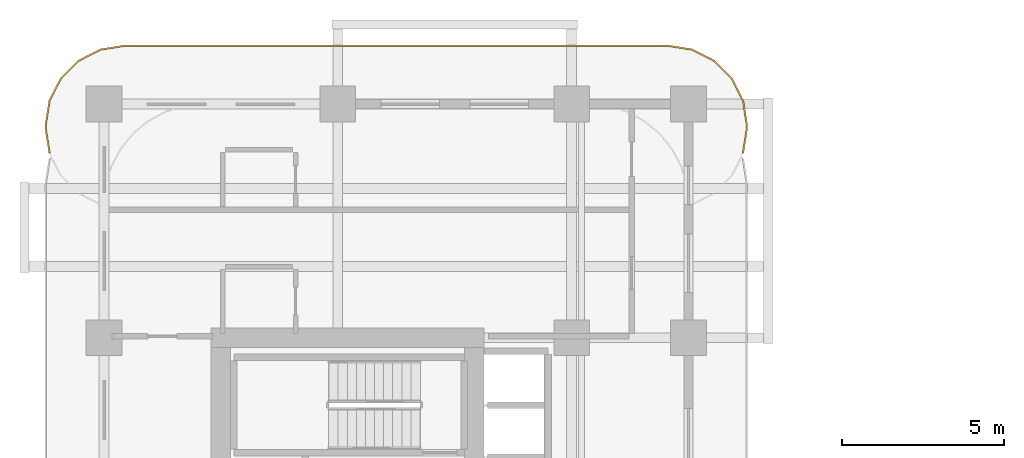
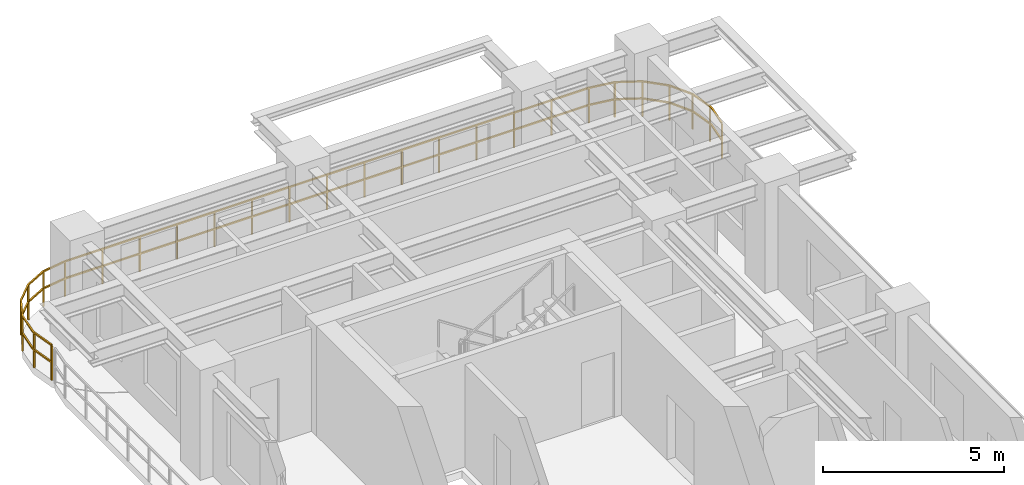
# One storey, part 18 of 18: 1 railing.
"""IFC4 building model written with IfcOpenShell, lengths in metres."""

from ifc_helpers import new_model, si_unit, derived_unit, direction, frame, origin, origin_2d, place, context, subcontext, project, spatial, rectangle, extrude, material, type_object, element, save


model = new_model("IFC4")

# Units and contexts
model_context = context("Model", 3, precision=1e-05, world=origin(), true_north=direction((0.0, 1.0)))
body_context = subcontext(model_context, "Body", "Model", "MODEL_VIEW")
ifc_project = project(units=[si_unit("LENGTHUNIT", "METRE"), si_unit("AREAUNIT", "SQUARE_METRE"), si_unit("VOLUMEUNIT", "CUBIC_METRE"), si_unit("PLANEANGLEUNIT", "RADIAN"), si_unit("MASSUNIT", "GRAM", prefix="KILO"), si_unit("THERMODYNAMICTEMPERATUREUNIT", "KELVIN"), si_unit("POWERUNIT", "WATT"), derived_unit("THERMALTRANSMITTANCEUNIT", [(si_unit("POWERUNIT", "WATT"), 1), (si_unit("AREAUNIT", "SQUARE_METRE"), -1), (si_unit("THERMODYNAMICTEMPERATUREUNIT", "KELVIN"), -1)])], contexts=[model_context])

# Site, building, storey
site_placement = place(None, origin())
site = spatial("IfcSite", under=ifc_project, at=site_placement, CompositionType="ELEMENT")
building_placement = place(site_placement, origin())
building = spatial("IfcBuilding", under=site, at=building_placement, Name="Zahravan Archway Hotel and Residences", CompositionType="ELEMENT")
storey_placement = place(building_placement, frame((0.0, 0.0, 50.89990234375)))
storey = spatial("IfcBuildingStorey", under=building, at=storey_placement, Name="L11", CompositionType="ELEMENT", Elevation=50.89990234375)

# Railing
ifc_material = material(Name="Bronze & Laminated Glass Balustrade", Category="glass")
railing_type = type_object("IfcRailingType", Name="RL-BAL-1200", PredefinedType="BALUSTRADE", material=ifc_material)
railing_placement = place(storey_placement, frame((-1.68017578125, 45.29296875, 0.0)))
element("IfcRailing", 1, at=railing_placement, inside=storey, type_object=railing_type, Name="L11 Balustrade RL-SLB-BAL-L11-NB-1", PredefinedType="BALUSTRADE", context=body_context, shape_type="SweptSolid", body=[
    extrude(rectangle(XDim=0.048095703125, YDim=0.048095703125, at=origin_2d()), frame((0.0, 0.0, 1.17578125), z_axis=(-0.156387811283, 0.987695728695, 0.0), x_axis=(-0.987695728695, -0.156387811283, 0.0)), (0.0, 0.0, 1.0), 0.7666015625),
    extrude(rectangle(XDim=0.048095703125, YDim=0.048095703125, at=origin_2d()), frame((0.0, 0.0, 0.60009765625), z_axis=(-0.156387811283, 0.987695728695, 0.0), x_axis=(-0.987695728695, -0.156387811283, 0.0)), (0.0, 0.0, 1.0), 0.7666015625),
    extrude(rectangle(XDim=0.048095703125, YDim=0.048095703125, at=origin_2d()), frame((-0.119873046875, 0.757080078125, 1.17578125), z_axis=(0.0, 1.0, 0.0), x_axis=(-1.0, 0.0, 0.0)), (0.0, 0.0, 1.0), 0.099853515625),
    extrude(rectangle(XDim=0.048095703125, YDim=0.048095703125, at=origin_2d()), frame((-0.119873046875, 0.757080078125, 0.60009765625), z_axis=(0.0, 1.0, 0.0), x_axis=(-1.0, 0.0, 0.0)), (0.0, 0.0, 1.0), 0.099853515625),
    extrude(rectangle(XDim=0.048095703125, YDim=0.048095703125, at=origin_2d()), frame((-0.119873046875, 0.85693359375, 1.17578125), z_axis=(0.156387811283, 0.987695728695, 0.0), x_axis=(-0.987695728695, 0.156387811283, 0.0)), (0.0, 0.0, 1.0), 0.7666015625),
    extrude(rectangle(XDim=0.048095703125, YDim=0.048095703125, at=origin_2d()), frame((-0.119873046875, 0.85693359375, 0.60009765625), z_axis=(0.156387811283, 0.987695728695, 0.0), x_axis=(-0.987695728695, 0.156387811283, 0.0)), (0.0, 0.0, 1.0), 0.7666015625),
    extrude(rectangle(XDim=0.048095703125, YDim=0.048095703125, at=origin_2d()), frame((0.0, 1.614013671875, 1.17578125), z_axis=(0.454078418624, 0.890961721815, 0.0), x_axis=(-0.890961721815, 0.454078418624, 0.0)), (0.0, 0.0, 1.0), 0.7666015625),
    extrude(rectangle(XDim=0.048095703125, YDim=0.048095703125, at=origin_2d()), frame((0.0, 1.614013671875, 0.60009765625), z_axis=(0.454078418624, 0.890961721815, 0.0), x_axis=(-0.890961721815, 0.454078418624, 0.0)), (0.0, 0.0, 1.0), 0.7666015625),
    extrude(rectangle(XDim=0.048095703125, YDim=0.048095703125, at=origin_2d()), frame((0.34814453125, 2.297119140625, 1.17578125), z_axis=(0.707106781187, 0.707106781187, 0.0), x_axis=(-0.707106781187, 0.707106781187, 0.0)), (0.0, 0.0, 1.0), 0.7666015625),
    extrude(rectangle(XDim=0.048095703125, YDim=0.048095703125, at=origin_2d()), frame((0.34814453125, 2.297119140625, 0.60009765625), z_axis=(0.707106781187, 0.707106781187, 0.0), x_axis=(-0.707106781187, 0.707106781187, 0.0)), (0.0, 0.0, 1.0), 0.7666015625),
    extrude(rectangle(XDim=0.048095703125, YDim=0.048095703125, at=origin_2d()), frame((0.89013671875, 2.839111328125, 1.17578125), z_axis=(0.891024909783, 0.453954414172, 0.0), x_axis=(-0.453954414172, 0.891024909783, 0.0)), (0.0, 0.0, 1.0), 0.766357421875),
    extrude(rectangle(XDim=0.048095703125, YDim=0.048095703125, at=origin_2d()), frame((0.89013671875, 2.839111328125, 0.60009765625), z_axis=(0.891024909783, 0.453954414172, 0.0), x_axis=(-0.453954414172, 0.891024909783, 0.0)), (0.0, 0.0, 1.0), 0.766357421875),
    extrude(rectangle(XDim=0.048095703125, YDim=0.048095703125, at=origin_2d()), frame((1.572998046875, 3.18701171875, 1.17578125), z_axis=(0.987646484274, 0.156698507018, 0.0), x_axis=(-0.156698507018, 0.987646484274, 0.0)), (0.0, 0.0, 1.0), 0.7666015625),
    extrude(rectangle(XDim=0.048095703125, YDim=0.048095703125, at=origin_2d()), frame((1.572998046875, 3.18701171875, 0.60009765625), z_axis=(0.987646484274, 0.156698507018, 0.0), x_axis=(-0.156698507018, 0.987646484274, 0.0)), (0.0, 0.0, 1.0), 0.7666015625),
    extrude(rectangle(XDim=0.048095703125, YDim=0.048095703125, at=origin_2d()), frame((2.330078125, 3.30712890625, 1.17578125), z_axis=(1.0, 0.0, 0.0), x_axis=(0.0, 1.0, 0.0)), (0.0, 0.0, 1.0), 16.7001953125),
    extrude(rectangle(XDim=0.048095703125, YDim=0.048095703125, at=origin_2d()), frame((2.330078125, 3.30712890625, 0.60009765625), z_axis=(1.0, 0.0, 0.0), x_axis=(0.0, 1.0, 0.0)), (0.0, 0.0, 1.0), 16.7001953125),
    extrude(rectangle(XDim=0.048095703125, YDim=0.048095703125, at=origin_2d()), frame((19.0302734375, 3.30712890625, 1.17578125), z_axis=(0.987646484274, -0.156698507018, 0.0), x_axis=(0.156698507018, 0.987646484274, 0.0)), (0.0, 0.0, 1.0), 0.7666015625),
    extrude(rectangle(XDim=0.048095703125, YDim=0.048095703125, at=origin_2d()), frame((19.0302734375, 3.30712890625, 0.60009765625), z_axis=(0.987646484274, -0.156698507018, 0.0), x_axis=(0.156698507018, 0.987646484274, 0.0)), (0.0, 0.0, 1.0), 0.7666015625),
    extrude(rectangle(XDim=0.048095703125, YDim=0.048095703125, at=origin_2d()), frame((19.787353515625, 3.18701171875, 1.17578125), z_axis=(0.891024909783, -0.453954414172, 0.0), x_axis=(0.453954414172, 0.891024909783, 0.0)), (0.0, 0.0, 1.0), 0.766357421875),
    extrude(rectangle(XDim=0.048095703125, YDim=0.048095703125, at=origin_2d()), frame((19.787353515625, 3.18701171875, 0.60009765625), z_axis=(0.891024909783, -0.453954414172, 0.0), x_axis=(0.453954414172, 0.891024909783, 0.0)), (0.0, 0.0, 1.0), 0.766357421875),
    extrude(rectangle(XDim=0.048095703125, YDim=0.048095703125, at=origin_2d()), frame((20.47021484375, 2.839111328125, 1.17578125), z_axis=(0.707106781187, -0.707106781187, 0.0), x_axis=(0.707106781187, 0.707106781187, 0.0)), (0.0, 0.0, 1.0), 0.7666015625),
    extrude(rectangle(XDim=0.048095703125, YDim=0.048095703125, at=origin_2d()), frame((20.47021484375, 2.839111328125, 0.60009765625), z_axis=(0.707106781187, -0.707106781187, 0.0), x_axis=(0.707106781187, 0.707106781187, 0.0)), (0.0, 0.0, 1.0), 0.7666015625),
    extrude(rectangle(XDim=0.048095703125, YDim=0.048095703125, at=origin_2d()), frame((21.01220703125, 2.297119140625, 1.17578125), z_axis=(0.454078418624, -0.890961721815, 0.0), x_axis=(0.890961721815, 0.454078418624, 0.0)), (0.0, 0.0, 1.0), 0.7666015625),
    extrude(rectangle(XDim=0.048095703125, YDim=0.048095703125, at=origin_2d()), frame((21.01220703125, 2.297119140625, 0.60009765625), z_axis=(0.454078418624, -0.890961721815, 0.0), x_axis=(0.890961721815, 0.454078418624, 0.0)), (0.0, 0.0, 1.0), 0.7666015625),
    extrude(rectangle(XDim=0.048095703125, YDim=0.048095703125, at=origin_2d()), frame((21.3603515625, 1.614013671875, 1.17578125), z_axis=(0.156387811283, -0.987695728695, 0.0), x_axis=(0.987695728695, 0.156387811283, 0.0)), (0.0, 0.0, 1.0), 0.7666015625),
    extrude(rectangle(XDim=0.048095703125, YDim=0.048095703125, at=origin_2d()), frame((21.3603515625, 1.614013671875, 0.60009765625), z_axis=(0.156387811283, -0.987695728695, 0.0), x_axis=(0.987695728695, 0.156387811283, 0.0)), (0.0, 0.0, 1.0), 0.7666015625),
    extrude(rectangle(XDim=0.048095703125, YDim=0.048095703125, at=origin_2d()), frame((21.480224609375, 0.85693359375, 1.17578125), z_axis=(0.0, -1.0, 0.0), x_axis=(1.0, 0.0, 0.0)), (0.0, 0.0, 1.0), 0.099853515625),
    extrude(rectangle(XDim=0.048095703125, YDim=0.048095703125, at=origin_2d()), frame((21.480224609375, 0.85693359375, 0.60009765625), z_axis=(0.0, -1.0, 0.0), x_axis=(1.0, 0.0, 0.0)), (0.0, 0.0, 1.0), 0.099853515625),
    extrude(rectangle(XDim=0.048095703125, YDim=0.048095703125, at=origin_2d()), frame((21.480224609375, 0.757080078125, 1.17578125), z_axis=(-0.156387811283, -0.987695728695, 0.0), x_axis=(0.987695728695, -0.156387811283, 0.0)), (0.0, 0.0, 1.0), 0.7666015625),
    extrude(rectangle(XDim=0.048095703125, YDim=0.048095703125, at=origin_2d()), frame((21.480224609375, 0.757080078125, 0.60009765625), z_axis=(-0.156387811283, -0.987695728695, 0.0), x_axis=(0.987695728695, -0.156387811283, 0.0)), (0.0, 0.0, 1.0), 0.7666015625),
    extrude(rectangle(XDim=0.0419921875, YDim=0.0419921875, at=origin_2d()), origin(), (0.0, 0.0, 1.0), 1.15185546875),
    extrude(rectangle(XDim=0.0419921875, YDim=0.0419921875, at=origin_2d()), frame((-0.119873046875, 0.757080078125, 0.0)), (0.0, 0.0, 1.0), 1.15185546875),
    extrude(rectangle(XDim=0.0419921875, YDim=0.0419921875, at=origin_2d()), frame((0.0, 1.614013671875, 0.0)), (0.0, 0.0, 1.0), 1.15185546875),
    extrude(rectangle(XDim=0.0419921875, YDim=0.0419921875, at=origin_2d()), frame((0.34814453125, 2.297119140625, 0.0)), (0.0, 0.0, 1.0), 1.15185546875),
    extrude(rectangle(XDim=0.0419921875, YDim=0.0419921875, at=origin_2d()), frame((0.89013671875, 2.839111328125, 0.0)), (0.0, 0.0, 1.0), 1.15185546875),
    extrude(rectangle(XDim=0.0419921875, YDim=0.0419921875, at=origin_2d()), frame((1.572998046875, 3.18701171875, 0.0)), (0.0, 0.0, 1.0), 1.15185546875),
    extrude(rectangle(XDim=0.0419921875, YDim=0.0419921875, at=origin_2d()), frame((2.330078125, 3.30712890625, 0.0)), (0.0, 0.0, 1.0), 1.15185546875),
    extrude(rectangle(XDim=0.0419921875, YDim=0.0419921875, at=origin_2d()), frame((3.52294921875, 3.30712890625, 0.0)), (0.0, 0.0, 1.0), 1.15185546875),
    extrude(rectangle(XDim=0.0419921875, YDim=0.0419921875, at=origin_2d()), frame((4.7158203125, 3.30712890625, 0.0)), (0.0, 0.0, 1.0), 1.15185546875),
    extrude(rectangle(XDim=0.0419921875, YDim=0.0419921875, at=origin_2d()), frame((5.90869140625, 3.30712890625, 0.0)), (0.0, 0.0, 1.0), 1.15185546875),
    extrude(rectangle(XDim=0.0419921875, YDim=0.0419921875, at=origin_2d()), frame((7.1015625, 3.30712890625, 0.0)), (0.0, 0.0, 1.0), 1.15185546875),
    extrude(rectangle(XDim=0.0419921875, YDim=0.0419921875, at=origin_2d()), frame((8.29443359375, 3.30712890625, 0.0)), (0.0, 0.0, 1.0), 1.15185546875),
    extrude(rectangle(XDim=0.0419921875, YDim=0.0419921875, at=origin_2d()), frame((9.4873046875, 3.30712890625, 0.0)), (0.0, 0.0, 1.0), 1.15185546875),
    extrude(rectangle(XDim=0.0419921875, YDim=0.0419921875, at=origin_2d()), frame((10.68017578125, 3.30712890625, 0.0)), (0.0, 0.0, 1.0), 1.15185546875),
    extrude(rectangle(XDim=0.0419921875, YDim=0.0419921875, at=origin_2d()), frame((11.873046875, 3.30712890625, 0.0)), (0.0, 0.0, 1.0), 1.15185546875),
    extrude(rectangle(XDim=0.0419921875, YDim=0.0419921875, at=origin_2d()), frame((13.06591796875, 3.30712890625, 0.0)), (0.0, 0.0, 1.0), 1.15185546875),
    extrude(rectangle(XDim=0.0419921875, YDim=0.0419921875, at=origin_2d()), frame((14.2587890625, 3.30712890625, 0.0)), (0.0, 0.0, 1.0), 1.15185546875),
    extrude(rectangle(XDim=0.0419921875, YDim=0.0419921875, at=origin_2d()), frame((15.45166015625, 3.30712890625, 0.0)), (0.0, 0.0, 1.0), 1.15185546875),
    extrude(rectangle(XDim=0.0419921875, YDim=0.0419921875, at=origin_2d()), frame((16.64453125, 3.30712890625, 0.0)), (0.0, 0.0, 1.0), 1.15185546875),
    extrude(rectangle(XDim=0.0419921875, YDim=0.0419921875, at=origin_2d()), frame((17.83740234375, 3.30712890625, 0.0)), (0.0, 0.0, 1.0), 1.15185546875),
    extrude(rectangle(XDim=0.0419921875, YDim=0.0419921875, at=origin_2d()), frame((19.0302734375, 3.30712890625, 0.0)), (0.0, 0.0, 1.0), 1.15185546875),
    extrude(rectangle(XDim=0.0419921875, YDim=0.0419921875, at=origin_2d()), frame((19.787353515625, 3.18701171875, 0.0)), (0.0, 0.0, 1.0), 1.15185546875),
    extrude(rectangle(XDim=0.0419921875, YDim=0.0419921875, at=origin_2d()), frame((20.47021484375, 2.839111328125, 0.0)), (0.0, 0.0, 1.0), 1.15185546875),
    extrude(rectangle(XDim=0.0419921875, YDim=0.0419921875, at=origin_2d()), frame((21.01220703125, 2.297119140625, 0.0)), (0.0, 0.0, 1.0), 1.15185546875),
    extrude(rectangle(XDim=0.0419921875, YDim=0.0419921875, at=origin_2d()), frame((21.3603515625, 1.614013671875, 0.0)), (0.0, 0.0, 1.0), 1.15185546875),
    extrude(rectangle(XDim=0.0419921875, YDim=0.0419921875, at=origin_2d()), frame((21.480224609375, 0.85693359375, 0.0)), (0.0, 0.0, 1.0), 1.15185546875),
    extrude(rectangle(XDim=0.0419921875, YDim=0.0419921875, at=origin_2d()), frame((21.3603515625, 0.0, 0.0)), (0.0, 0.0, 1.0), 1.15185546875),
])

save(model, "model.ifc")
